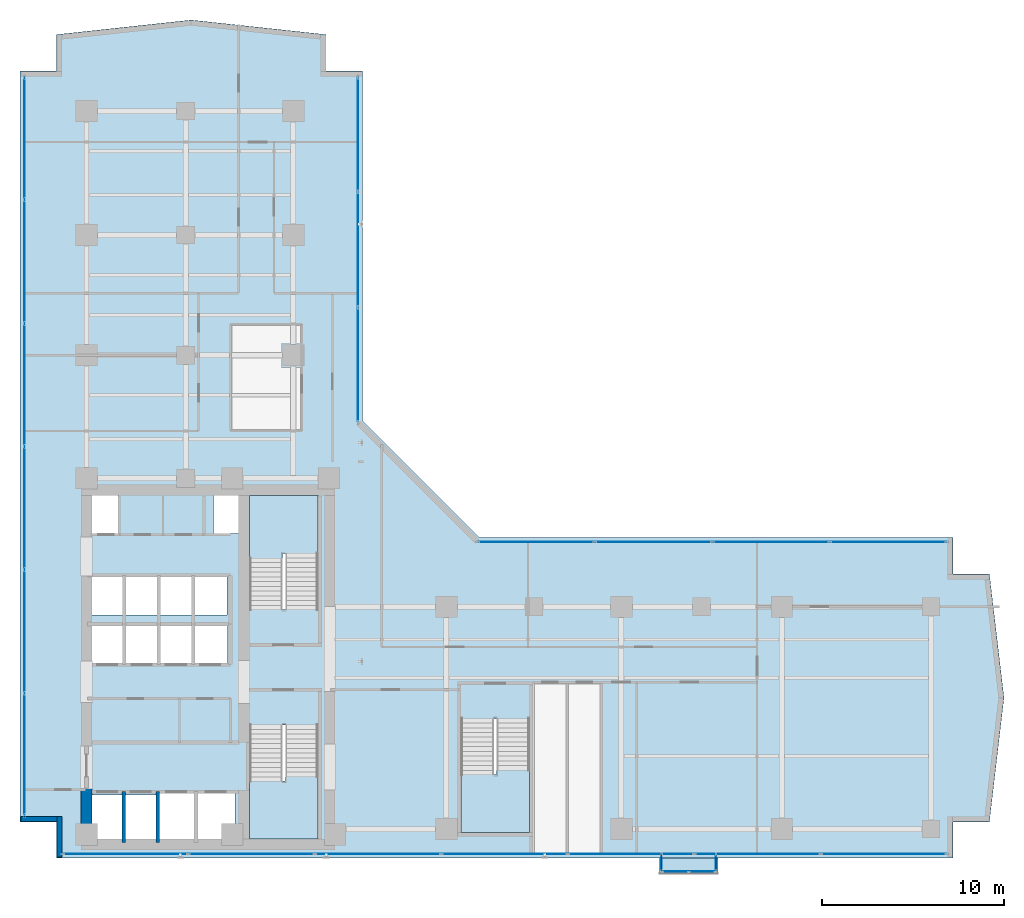
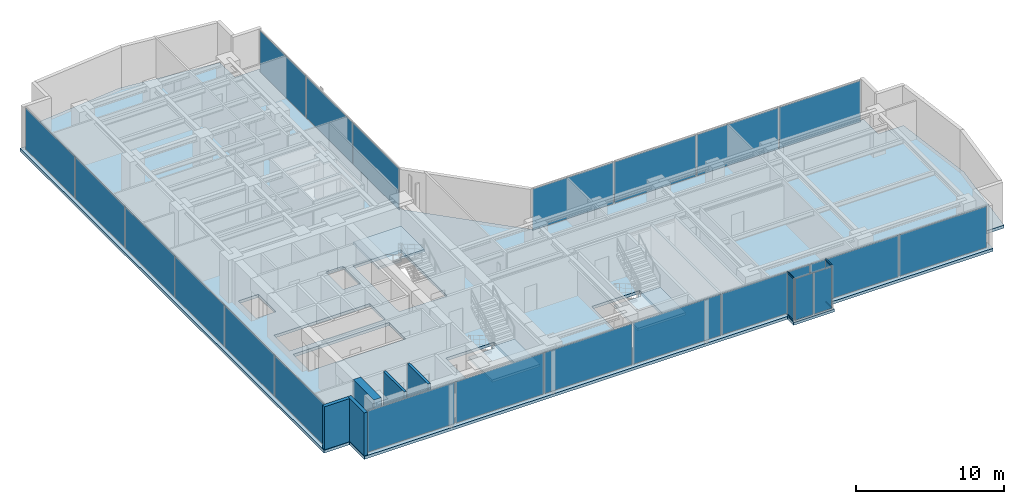
# One storey, part 18 of 26: 24 plates, 5 slabs, 5 walls, 4 members, 10 elements without a shape of their own.
"""IFC4 building model written with IfcOpenShell, lengths in metres."""

import ifcopenshell
import ifcopenshell.guid

model = None  # the IFC model being written
_history = None  # IfcOwnerHistory: only IFC2X3 demands one
_inside = {}  # id of a spatial element -> (the spatial element, [elements in it])
_under = {}  # id of a project, library or spatial element -> (it, [spatial elements below it])
_declared = {}  # id of a project -> (the project, [libraries it declares])
_typed = {}  # id of a type object -> (the type object, [elements of that type])
_made_of = {}  # id of a material, layer set ... -> (it, [elements and type objects made of it])


def new_model(schema):
    """Start an empty IFC model of exactly this schema.

    Asked for "IFC4X3", IfcOpenShell would pick the latest addendum, in which some entities
    have other attributes; the version numbers below select the first issue.
    IFC2X3 requires an IfcOwnerHistory on every rooted entity: one is made here for all.
    """
    global model, _history
    if schema == "IFC4X3":
        model = ifcopenshell.file(schema_version=(4, 3, 0, 0))
    else:
        model = ifcopenshell.file(schema=schema)
    _inside.clear()
    _under.clear()
    _declared.clear()
    _typed.clear()
    _made_of.clear()
    _history = None
    if model.schema == "IFC2X3":
        org = make("IfcOrganization", Name="unknown")
        user = make(
            "IfcPersonAndOrganization",
            ThePerson=make("IfcPerson", FamilyName="unknown"),
            TheOrganization=org,
        )
        app = make(
            "IfcApplication",
            ApplicationDeveloper=org,
            Version="unknown",
            ApplicationFullName="unknown",
            ApplicationIdentifier="unknown",
        )
        _history = make(
            "IfcOwnerHistory",
            OwningUser=user,
            OwningApplication=app,
            ChangeAction="ADDED",
            CreationDate=0,
        )
    return model


def make(cls, **values):
    """One entity of the class cls with the attributes given. An attribute that is None is left unset."""
    return model.create_entity(
        cls, **{name: value for name, value in values.items() if value is not None}
    )


def rooted(cls, **values):
    """An entity with a GlobalId (a new one), such as an element, a storey or a relation."""
    return make(cls, GlobalId=ifcopenshell.guid.new(), OwnerHistory=_history, **values)


def si_unit(unit_type, name, prefix=None):
    """IfcSIUnit, for example si_unit("LENGTHUNIT", "METRE", prefix="MILLI")."""
    return make("IfcSIUnit", UnitType=unit_type, Prefix=prefix, Name=name)


def assignment(units):
    """IfcUnitAssignment: the units of a project."""
    return None if units is None else make("IfcUnitAssignment", Units=units)


def point(xyz):
    """IfcCartesianPoint."""
    return None if xyz is None else make("IfcCartesianPoint", Coordinates=xyz)


def direction(xyz):
    """IfcDirection."""
    return None if xyz is None else make("IfcDirection", DirectionRatios=xyz)


def frame(location, z_axis=None, x_axis=None):
    """IfcAxis2Placement3D, a coordinate frame: its origin and axes. An axis left out is left unset."""
    return make(
        "IfcAxis2Placement3D",
        Location=point(location),
        Axis=direction(z_axis),
        RefDirection=direction(x_axis),
    )


def frame_2d(location, x_axis=None):
    """IfcAxis2Placement2D, a coordinate frame in the plane: its origin and x axis."""
    return make(
        "IfcAxis2Placement2D", Location=point(location), RefDirection=direction(x_axis)
    )


def origin():
    """The frame at (0, 0, 0) with its axes left unset."""
    return frame((0.0, 0.0, 0.0))


def origin_with_axes():
    """The frame at (0, 0, 0) with the z axis (0, 0, 1) and the x axis (1, 0, 0) written out."""
    return frame((0.0, 0.0, 0.0), z_axis=(0.0, 0.0, 1.0), x_axis=(1.0, 0.0, 0.0))


def origin_2d():
    """The frame at (0, 0) in the plane with its x axis left unset."""
    return frame_2d((0.0, 0.0))


def place(relative_to, where):
    """IfcLocalPlacement: puts the frame where relative to a parent placement (None: the world)."""
    return make(
        "IfcLocalPlacement", PlacementRelTo=relative_to, RelativePlacement=where
    )


def context(
    kind, dimensions, precision=None, world=None, true_north=None, identifier=None
):
    """IfcGeometricRepresentationContext, for example the 3D "Model" context."""
    return make(
        "IfcGeometricRepresentationContext",
        ContextIdentifier=identifier,
        ContextType=kind,
        CoordinateSpaceDimension=dimensions,
        Precision=precision,
        WorldCoordinateSystem=world,
        TrueNorth=true_north,
    )


def subcontext(parent, identifier, kind, view, scale=None):
    """IfcGeometricRepresentationSubContext, for example "Body" below "Model"."""
    return make(
        "IfcGeometricRepresentationSubContext",
        ContextIdentifier=identifier,
        ContextType=kind,
        ParentContext=parent,
        TargetScale=scale,
        TargetView=view,
    )


def project(units=None, contexts=None):
    """IfcProject with its units and contexts."""
    return rooted(
        "IfcProject",
        Name="project",
        RepresentationContexts=contexts,
        UnitsInContext=assignment(units),
    )


def spatial(cls, under=None, at=None, **own):
    """A site, building, storey or space (cls), placed at a placement, below another one or the project."""
    s = rooted(cls, ObjectPlacement=at, **own)
    if under is not None:
        _under.setdefault(under.id(), (under, []))[1].append(s)
    return s


def polyline(points):
    """IfcPolyline through the points."""
    return make("IfcPolyline", Points=[point(p) for p in points])


def profile(cls, at=None, kind="AREA", **sizes):
    """A parametric profile (cls). Its sizes go by their IFC names, for example OverallWidth=200.0."""
    return make(cls, ProfileType=kind, Position=at, **sizes)


def rectangle(**sizes):
    """IfcRectangleProfileDef."""
    return profile("IfcRectangleProfileDef", **sizes)


def hollow_rectangle(**sizes):
    """IfcRectangleHollowProfileDef."""
    return profile("IfcRectangleHollowProfileDef", **sizes)


def outline(outer, holes=None, kind="AREA"):
    """IfcArbitraryClosedProfileDef: a profile drawn as a closed curve; with holes, ...WithVoids."""
    if holes is None:
        return make("IfcArbitraryClosedProfileDef", ProfileType=kind, OuterCurve=outer)
    return make(
        "IfcArbitraryProfileDefWithVoids",
        ProfileType=kind,
        OuterCurve=outer,
        InnerCurves=holes,
    )


def extrude(swept, where, along, depth):
    """IfcExtrudedAreaSolid: the profile swept, set in the frame where, extruded along a direction by depth."""
    return make(
        "IfcExtrudedAreaSolid",
        SweptArea=swept,
        Position=where,
        ExtrudedDirection=direction(along),
        Depth=depth,
    )


def shape(context_of_items, identifier, shape_type, items):
    """IfcShapeRepresentation: the items that make up one representation, for example the "Body"."""
    return make(
        "IfcShapeRepresentation",
        ContextOfItems=context_of_items,
        RepresentationIdentifier=identifier,
        RepresentationType=shape_type,
        Items=items,
    )


def source(mapping_origin, context_of_items, identifier, shape_type, items):
    """IfcRepresentationMap: a shape defined once, which mapped items show again and again."""
    return make(
        "IfcRepresentationMap",
        MappingOrigin=mapping_origin,
        MappedRepresentation=shape(context_of_items, identifier, shape_type, items),
    )


def transform(
    local_origin,
    x_axis=None,
    y_axis=None,
    z_axis=None,
    scale=None,
    scale2=None,
    scale3=None,
    uniform=True,
):
    """IfcCartesianTransformationOperator3D, or its non-uniform kind. x_axis, y_axis, z_axis: its Axis1, 2, 3."""
    if uniform:
        return make(
            "IfcCartesianTransformationOperator3D",
            Axis1=direction(x_axis),
            Axis2=direction(y_axis),
            LocalOrigin=point(local_origin),
            Scale=scale,
            Axis3=direction(z_axis),
        )
    return make(
        "IfcCartesianTransformationOperator3DnonUniform",
        Axis1=direction(x_axis),
        Axis2=direction(y_axis),
        LocalOrigin=point(local_origin),
        Scale=scale,
        Axis3=direction(z_axis),
        Scale2=scale2,
        Scale3=scale3,
    )


def mapped(mapping_source, mapping_target):
    """IfcMappedItem: shows the shape of a source again, moved by a transform."""
    return make(
        "IfcMappedItem", MappingSource=mapping_source, MappingTarget=mapping_target
    )


def material(Name=None, Category=None):
    """IfcMaterial."""
    return make("IfcMaterial", Name=Name, Category=Category)


def layer(
    of_material, thickness, ventilated=None, Name=None, Category=None, Priority=None
):
    """IfcMaterialLayer: one layer of a wall or slab, of a material (None: an air gap)."""
    return make(
        "IfcMaterialLayer",
        Material=of_material,
        LayerThickness=thickness,
        IsVentilated=ventilated,
        Name=Name,
        Category=Category,
        Priority=Priority,
    )


def layer_set(layers, Name=None):
    """IfcMaterialLayerSet."""
    return make("IfcMaterialLayerSet", MaterialLayers=layers, LayerSetName=Name)


def material_profile(
    of_material, cross_section, Name=None, Category=None, Priority=None
):
    """IfcMaterialProfile: a cross section and its material."""
    return make(
        "IfcMaterialProfile",
        Name=Name,
        Material=of_material,
        Profile=cross_section,
        Priority=Priority,
        Category=Category,
    )


def profile_set(profiles, Name=None, composite=None):
    """IfcMaterialProfileSet."""
    return make(
        "IfcMaterialProfileSet",
        Name=Name,
        MaterialProfiles=profiles,
        CompositeProfile=composite,
    )


def made_of(thing, what):
    """Note that an element or type object is made of a material, layer set ...; save() writes the relation."""
    if what is not None:
        _made_of.setdefault(what.id(), (what, []))[1].append(thing)
    return thing


def type_object(cls, material=None, **own):
    """A type object (cls), such as IfcWallType, which elements share."""
    return made_of(rooted(cls, **own), material)


def element(
    cls,
    number,
    at=None,
    inside=None,
    cuts=None,
    type_object=None,
    material=None,
    context=None,
    identifier="Body",
    shape_type=None,
    held_by="IfcProductDefinitionShape",
    body=None,
    shapes=None,
    **own,
):
    """One element of the class cls, such as IfcWall. Its Tag is "e" and its number.

    at: its placement. inside: the storey or other place that contains it. cuts: it is an
    opening in that element (IfcRelVoidsElement). A single representation is given by context,
    identifier, shape_type and body (its items); several are given by shapes. held_by: the class
    of the entity that holds the representations. save() writes the other relations.
    """
    e = rooted(cls, Tag="e%d" % number, ObjectPlacement=at, **own)
    if body is not None:
        shapes = [shape(context, identifier, shape_type, body)]
    if shapes is not None:
        e.Representation = make(held_by, Representations=shapes)
    if inside is not None:
        _inside.setdefault(inside.id(), (inside, []))[1].append(e)
    if cuts is not None:
        rooted(
            "IfcRelVoidsElement", RelatingBuildingElement=cuts, RelatedOpeningElement=e
        )
    if type_object is not None:
        _typed.setdefault(type_object.id(), (type_object, []))[1].append(e)
    return made_of(e, material)


def aggregate(whole, parts):
    """IfcRelAggregates: a whole, such as a stair, and the parts it consists of."""
    return rooted("IfcRelAggregates", RelatingObject=whole, RelatedObjects=parts)


def save(model, path):
    """Write the relations noted so far, then the file.

    IfcRelAggregates (storeys below a building ...), IfcRelContainedInSpatialStructure (elements
    in a storey), IfcRelDefinesByType, IfcRelAssociatesMaterial and IfcRelDeclares: one each for
    every whole, place, type object, material and project.
    """
    for whole, parts in _under.values():
        aggregate(whole, parts)
    for where, things in _inside.values():
        rooted(
            "IfcRelContainedInSpatialStructure",
            RelatedElements=things,
            RelatingStructure=where,
        )
    for kind, things in _typed.values():
        rooted("IfcRelDefinesByType", RelatedObjects=things, RelatingType=kind)
    for what, things in _made_of.values():
        rooted("IfcRelAssociatesMaterial", RelatedObjects=things, RelatingMaterial=what)
    for by, libraries in _declared.values():
        rooted("IfcRelDeclares", RelatingContext=by, RelatedDefinitions=libraries)
    model.write(path)


model = new_model("IFC4")

# Units and contexts
model_context = context("Model", 3, precision=1e-05, world=origin(), true_north=direction((0.0, 1.0)))
body_context = subcontext(model_context, "Body", "Model", "MODEL_VIEW")
ifc_project = project(units=[si_unit("LENGTHUNIT", "METRE"), si_unit("AREAUNIT", "SQUARE_METRE"), si_unit("VOLUMEUNIT", "CUBIC_METRE"), si_unit("PLANEANGLEUNIT", "RADIAN"), si_unit("MASSUNIT", "GRAM", prefix="KILO")], contexts=[model_context])

# Site, building, storey
site_placement = place(None, origin())
site = spatial("IfcSite", under=ifc_project, at=site_placement, CompositionType="ELEMENT")
building_placement = place(site_placement, origin())
building = spatial("IfcBuilding", under=site, at=building_placement, Name="Kolvaren Waterfront Exchange", CompositionType="ELEMENT")
storey_placement = place(building_placement, frame((0.0, 0.0, 165.199951171875)))
storey = spatial("IfcBuildingStorey", under=building, at=storey_placement, Name="L42", CompositionType="ELEMENT", Elevation=165.199951171875)

# Curtain wall, members
ifc_material_1 = material(Name="Anodised bronze aluminium 6063-T6", Category="aluminium")
ifc_layer_1 = layer(ifc_material_1, 0.219970703125, Name="Anodised bronze aluminium 6063-T6")
ifc_layer_set_1 = layer_set([ifc_layer_1], Name="Anodised bronze aluminium 6063-T6")
curtain_wall_type_1 = type_object("IfcCurtainWallType", Name="ARC-CW-SYS3", PredefinedType="USERDEFINED", material=ifc_layer_set_1)
curtain_wall_1_placement = place(storey_placement, origin())
curtain_wall_1 = element("IfcCurtainWall", 1, at=curtain_wall_1_placement, inside=storey, type_object=curtain_wall_type_1, Name="L42 stick curtain wall CW3 (CW-L42-BOX-W)", ObjectType="STICK CURTAIN WALL", PredefinedType="USERDEFINED")
ifc_material_profile = material_profile(ifc_material_1, hollow_rectangle(XDim=0.06494140625, YDim=0.1298828125, WallThickness=0.00390625, at=origin_2d()), Name="ALU-TRN-130x65x4")
ifc_profile_set = profile_set([ifc_material_profile], Name="Anodised bronze aluminium 6063-T6")
member_type = type_object("IfcMemberType", Name="ARC-CWT-130", PredefinedType="USERDEFINED", material=ifc_profile_set)
shared_shape_1 = source(origin_with_axes(), body_context, "Body", "SweptSolid", [
    extrude(hollow_rectangle(XDim=0.06494140625, YDim=0.1298828125, WallThickness=0.00390625, at=origin_2d()), origin(), (0.0, 0.0, 1.0), 0.829833984375),
])
member_1_placement = place(storey_placement, frame((39.010009765625, 3.764892578125, 0.032470703125), z_axis=(0.0, -1.0, 0.0), x_axis=(1.0, 0.0, 0.0)))
member_1 = element("IfcMember", 2, at=member_1_placement, type_object=member_type, Name="CW3 transom 1.1", ObjectType="TRANSOM", PredefinedType="USERDEFINED", context=body_context, shape_type="MappedRepresentation", body=[
    mapped(shared_shape_1, transform((0.0, 0.0, 0.0), x_axis=(1.0, 0.0, 0.0), y_axis=(0.0, 1.0, 0.0), z_axis=(0.0, 0.0, 1.0), scale=1.0)),
])
member_2_placement = place(storey_placement, frame((39.010009765625, 3.764892578125, 3.527587890625), z_axis=(0.0, -1.0, 0.0), x_axis=(1.0, 0.0, 0.0)))
member_2 = element("IfcMember", 3, at=member_2_placement, type_object=member_type, Name="CW3 transom 1.2", ObjectType="TRANSOM", PredefinedType="USERDEFINED", context=body_context, shape_type="MappedRepresentation", body=[
    mapped(shared_shape_1, transform((0.0, 0.0, 0.0), x_axis=(1.0, 0.0, 0.0), y_axis=(0.0, 1.0, 0.0), z_axis=(0.0, 0.0, 1.0), scale=1.0)),
])

curtain_wall_2_placement = place(storey_placement, origin())
curtain_wall_2 = element("IfcCurtainWall", 4, at=curtain_wall_2_placement, inside=storey, type_object=curtain_wall_type_1, Name="L42 stick curtain wall CW3 (CW-L42-BOX-E)", ObjectType="STICK CURTAIN WALL", PredefinedType="USERDEFINED")
member_3_placement = place(storey_placement, frame((41.989990234375, 2.93505859375, 0.032470703125), z_axis=(0.0, 1.0, 0.0), x_axis=(-1.0, 0.0, 0.0)))
member_3 = element("IfcMember", 5, at=member_3_placement, type_object=member_type, Name="CW3 transom 1.1", ObjectType="TRANSOM", PredefinedType="USERDEFINED", context=body_context, shape_type="MappedRepresentation", body=[
    mapped(shared_shape_1, transform((0.0, 0.0, 0.0), x_axis=(1.0, 0.0, 0.0), y_axis=(0.0, 1.0, 0.0), z_axis=(0.0, 0.0, 1.0), scale=1.0)),
])
member_4_placement = place(storey_placement, frame((41.989990234375, 2.93505859375, 3.527587890625), z_axis=(0.0, 1.0, 0.0), x_axis=(-1.0, 0.0, 0.0)))
member_4 = element("IfcMember", 6, at=member_4_placement, type_object=member_type, Name="CW3 transom 1.2", ObjectType="TRANSOM", PredefinedType="USERDEFINED", context=body_context, shape_type="MappedRepresentation", body=[
    mapped(shared_shape_1, transform((0.0, 0.0, 0.0), x_axis=(1.0, 0.0, 0.0), y_axis=(0.0, 1.0, 0.0), z_axis=(0.0, 0.0, 1.0), scale=1.0)),
])

# Stair, slab
ifc_material_2 = material(Name="Concrete C40/50", Category="concrete")
stair_type = type_object("IfcStairType", Name="ARC-STAIR-3800", PredefinedType="HALF_TURN_STAIR", material=ifc_material_2)
stair_1_placement = place(storey_placement, origin())
stair_1 = element("IfcStair", 7, at=stair_1_placement, inside=storey, type_object=stair_type, Name="L42 Smoke-proof exit stair ST1", PredefinedType="HALF_TURN_STAIR")
ifc_layer_2 = layer(ifc_material_2, 0.199951171875, Name="Concrete C40/50")
ifc_layer_set_2 = layer_set([ifc_layer_2], Name="Concrete C40/50")
slab_type_1 = type_object("IfcSlabType", Name="STR-LANDING-200", PredefinedType="LANDING", material=ifc_layer_set_2)
slab_1_placement = place(storey_placement, frame((0.0, 0.0, 1.776123046875)))
slab_1 = element("IfcSlab", 8, at=slab_1_placement, type_object=slab_type_1, Name="ST1 landing 1", PredefinedType="LANDING", context=body_context, shape_type="SweptSolid", body=[
    extrude(outline(polyline([(16.39990234375, 7.840087890625), (16.39990234375, 4.64990234375), (20.159912109375, 4.64990234375), (20.159912109375, 8.10009765625), (18.360107421875, 8.10009765625), (18.360107421875, 7.840087890625), (16.39990234375, 7.840087890625)])), origin(), (0.0, 0.0, 1.0), 0.199951171875),
])
aggregate(stair_1, [slab_1])

stair_2_placement = place(storey_placement, origin())
stair_2 = element("IfcStair", 9, at=stair_2_placement, inside=storey, type_object=stair_type, Name="L42 Smoke-proof exit stair ST2", PredefinedType="HALF_TURN_STAIR")
slab_2_placement = place(storey_placement, frame((0.0, 0.0, 1.776123046875)))
slab_2 = element("IfcSlab", 10, at=slab_2_placement, type_object=slab_type_1, Name="ST2 landing 1", PredefinedType="LANDING", context=body_context, shape_type="SweptSolid", body=[
    extrude(outline(polyline([(20.159912109375, 20.31005859375), (20.159912109375, 23.5), (16.39990234375, 23.5), (16.39990234375, 20.050048828125), (18.199951171875, 20.050048828125), (18.199951171875, 20.31005859375), (20.159912109375, 20.31005859375)])), origin(), (0.0, 0.0, 1.0), 0.199951171875),
])
aggregate(stair_2, [slab_2])

stair_3_placement = place(storey_placement, origin())
stair_3 = element("IfcStair", 11, at=stair_3_placement, inside=storey, type_object=stair_type, Name="L42 Exit stair ST3", PredefinedType="HALF_TURN_STAIR")
slab_3_placement = place(storey_placement, frame((0.0, 0.0, 1.776123046875)))
slab_3 = element("IfcSlab", 12, at=slab_3_placement, type_object=slab_type_1, Name="ST3 landing 1", PredefinedType="LANDING", context=body_context, shape_type="SweptSolid", body=[
    extrude(outline(polyline([(28.0, 8.18994140625), (28.0, 5.0), (31.760009765625, 5.0), (31.760009765625, 8.449951171875), (29.9599609375, 8.449951171875), (29.9599609375, 8.18994140625), (28.0, 8.18994140625)])), origin(), (0.0, 0.0, 1.0), 0.199951171875),
])
aggregate(stair_3, [slab_3])

# Slabs
ifc_layer_3 = layer(ifc_material_2, 0.239990234375, Name="Concrete C40/50")
ifc_layer_set_3 = layer_set([ifc_layer_3], Name="Concrete C40/50")
slab_type_2 = type_object("IfcSlabType", Name="STR-SLAB-240", PredefinedType="FLOOR", material=ifc_layer_set_3)
slab_4_placement = place(storey_placement, frame((0.0, 0.0, -0.239990234375)))
element("IfcSlab", 13, at=slab_4_placement, inside=storey, type_object=slab_type_2, Name="L42 structural floor slab", PredefinedType="FLOOR", context=body_context, shape_type="SweptSolid", body=[
    extrude(outline(polyline([(5.800048828125, 3.60009765625), (55.0, 3.60009765625), (55.0, 5.60009765625), (57.0, 5.60009765625), (57.800048828125, 12.39990234375), (57.0, 19.199951171875), (55.0, 19.199951171875), (55.0, 21.199951171875), (29.0, 21.199951171875), (22.60009765625, 27.60009765625), (22.60009765625, 46.800048828125), (20.60009765625, 46.800048828125), (20.60009765625, 48.800048828125), (13.199951171875, 49.60009765625), (5.800048828125, 48.800048828125), (5.800048828125, 46.800048828125), (3.800048828125, 46.800048828125), (3.800048828125, 5.60009765625), (5.800048828125, 5.60009765625), (5.800048828125, 3.60009765625)]), holes=[polyline([(11.320068359375, 7.260009765625), (15.610107421875, 7.260009765625), (15.610107421875, 4.5400390625), (7.719970703125, 4.5400390625), (7.719970703125, 7.06005859375), (11.320068359375, 7.06005859375), (11.320068359375, 7.260009765625)]), polyline([(20.159912109375, 10.89990234375), (20.159912109375, 4.64990234375), (16.39990234375, 4.64990234375), (16.39990234375, 10.89990234375), (20.159912109375, 10.89990234375)]), polyline([(31.760009765625, 11.25), (31.760009765625, 5.0), (28.0, 5.0), (28.0, 11.25), (31.760009765625, 11.25)]), polyline([(15.18505859375, 14.239990234375), (7.64501953125, 14.239990234375), (7.64501953125, 16.4599609375), (15.18505859375, 16.4599609375), (15.18505859375, 14.239990234375)]), polyline([(15.159912109375, 16.93994140625), (7.669921875, 16.93994140625), (7.669921875, 19.06005859375), (15.159912109375, 19.06005859375), (15.159912109375, 16.93994140625)]), polyline([(16.39990234375, 23.5), (20.159912109375, 23.5), (20.159912109375, 17.25), (16.39990234375, 17.25), (16.39990234375, 23.5)]), polyline([(7.60009765625, 23.780029296875), (9.179931640625, 23.780029296875), (9.179931640625, 21.419921875), (7.60009765625, 21.419921875), (7.60009765625, 23.780029296875)]), polyline([(15.800048828125, 23.780029296875), (15.800048828125, 21.419921875), (14.419921875, 21.419921875), (14.419921875, 23.780029296875), (15.800048828125, 23.780029296875)])]), origin(), (0.0, 0.0, 1.0), 0.239990234375),
])
ifc_layer_4 = layer(ifc_material_2, 0.219970703125, Name="Concrete C40/50")
ifc_layer_set_4 = layer_set([ifc_layer_4], Name="Concrete C40/50")
slab_type_3 = type_object("IfcSlabType", Name="STR-TERR-220", PredefinedType="FLOOR", material=ifc_layer_set_4)
slab_5_placement = place(storey_placement, frame((0.0, 0.0, -0.219970703125)))
element("IfcSlab", 14, at=slab_5_placement, inside=storey, type_object=slab_type_3, Name="L42 projecting bay-box floor strip", PredefinedType="FLOOR", context=body_context, shape_type="SweptSolid", body=[
    extrude(outline(polyline([(38.89990234375, 2.75), (42.10009765625, 2.75), (42.10009765625, 3.60009765625), (38.89990234375, 3.60009765625), (38.89990234375, 2.75)])), origin(), (0.0, 0.0, 1.0), 0.219970703125),
])

# Plate
ifc_material_3 = material(Name="Bronze tinted bay-box vision glass", Category="aluminium")
ifc_layer_5 = layer(ifc_material_3, 0.02392578125, Name="Bronze tinted bay-box vision glass")
ifc_layer_set_5 = layer_set([ifc_layer_5], Name="Bronze tinted bay-box vision glass")
plate_type_1 = type_object("IfcPlateType", Name="ARC-CWP-24", PredefinedType="CURTAIN_PANEL", material=ifc_layer_set_5)
shared_shape_2 = source(origin_with_axes(), body_context, "Body", "SweptSolid", [
    extrude(rectangle(XDim=0.830078125, YDim=0.02392578125, at=origin_2d()), origin(), (0.0, 0.0, 1.0), 3.429931640625),
])
plate_1_placement = place(storey_placement, frame((39.010009765625, 3.35009765625, 0.06494140625), z_axis=(0.0, 0.0, 1.0), x_axis=(0.0, -1.0, 0.0)))
plate_1 = element("IfcPlate", 15, at=plate_1_placement, type_object=plate_type_1, Name="CW3 panel 1.1", PredefinedType="CURTAIN_PANEL", context=body_context, shape_type="MappedRepresentation", body=[
    mapped(shared_shape_2, transform((0.0, 0.0, 0.0), x_axis=(1.0, 0.0, 0.0), y_axis=(0.0, 1.0, 0.0), z_axis=(0.0, 0.0, 1.0), scale=1.0)),
])

aggregate(curtain_wall_1, [member_1, member_2, plate_1])

plate_2_placement = place(storey_placement, frame((41.989990234375, 3.35009765625, 0.06494140625), z_axis=(0.0, 0.0, 1.0), x_axis=(0.0, 1.0, 0.0)))
plate_2 = element("IfcPlate", 16, at=plate_2_placement, type_object=plate_type_1, Name="CW3 panel 1.1", PredefinedType="CURTAIN_PANEL", context=body_context, shape_type="MappedRepresentation", body=[
    mapped(shared_shape_2, transform((0.0, 0.0, 0.0), x_axis=(1.0, 0.0, 0.0), y_axis=(0.0, 1.0, 0.0), z_axis=(0.0, 0.0, 1.0), scale=1.0)),
])

aggregate(curtain_wall_2, [member_3, member_4, plate_2])

# Curtain wall, plates
curtain_wall_3_placement = place(storey_placement, origin())
curtain_wall_3 = element("IfcCurtainWall", 17, at=curtain_wall_3_placement, inside=storey, type_object=curtain_wall_type_1, Name="L42 stick curtain wall CW3 (CW-L42-BOX)", ObjectType="STICK CURTAIN WALL", PredefinedType="USERDEFINED")
shared_shape_3 = source(origin_with_axes(), body_context, "Body", "SweptSolid", [
    extrude(rectangle(XDim=1.37744140625, YDim=0.02392578125, at=origin_2d()), origin(), (0.0, 0.0, 1.0), 3.429931640625),
])
plate_3_placement = place(storey_placement, frame((39.773681640625, 2.860107421875, 0.06494140625), z_axis=(0.0, 0.0, 1.0), x_axis=(1.0, 0.0, 0.0)))
plate_3 = element("IfcPlate", 18, at=plate_3_placement, type_object=plate_type_1, Name="CW3 panel 1.1", PredefinedType="CURTAIN_PANEL", context=body_context, shape_type="MappedRepresentation", body=[
    mapped(shared_shape_3, transform((0.0, 0.0, 0.0), x_axis=(1.0, 0.0, 0.0), y_axis=(0.0, 1.0, 0.0), z_axis=(0.0, 0.0, 1.0), scale=1.0)),
])
plate_4_placement = place(storey_placement, frame((41.226318359375, 2.860107421875, 0.06494140625), z_axis=(0.0, 0.0, 1.0), x_axis=(1.0, 0.0, 0.0)))
plate_4 = element("IfcPlate", 19, at=plate_4_placement, type_object=plate_type_1, Name="CW3 panel 2.1", PredefinedType="CURTAIN_PANEL", context=body_context, shape_type="MappedRepresentation", body=[
    mapped(shared_shape_3, transform((0.0, 0.0, 0.0), x_axis=(1.0, 0.0, 0.0), y_axis=(0.0, 1.0, 0.0), z_axis=(0.0, 0.0, 1.0), scale=1.0)),
])
aggregate(curtain_wall_3, [plate_3, plate_4])

ifc_layer_6 = layer(ifc_material_1, 0.219970703125, Name="Anodised bronze aluminium 6063-T6")
ifc_layer_set_6 = layer_set([ifc_layer_6], Name="Anodised bronze aluminium 6063-T6")
curtain_wall_type_2 = type_object("IfcCurtainWallType", Name="ARC-CW-SYS1", PredefinedType="USERDEFINED", material=ifc_layer_set_6)
curtain_wall_4_placement = place(storey_placement, origin())
curtain_wall_4 = element("IfcCurtainWall", 20, at=curtain_wall_4_placement, inside=storey, type_object=curtain_wall_type_2, Name="L42 stick curtain wall CW1 (CW-L42-S)", ObjectType="STICK CURTAIN WALL", PredefinedType="USERDEFINED")
ifc_material_4 = material(Name="Bronze solar control vision glass", Category="aluminium")
ifc_layer_7 = layer(ifc_material_4, 0.028076171875, Name="Bronze solar control vision glass")
ifc_layer_set_7 = layer_set([ifc_layer_7], Name="Bronze solar control vision glass")
plate_type_2 = type_object("IfcPlateType", Name="ARC-CWP-28", PredefinedType="CURTAIN_PANEL", material=ifc_layer_set_7)
shared_shape_4 = source(origin_with_axes(), body_context, "Body", "SweptSolid", [
    extrude(rectangle(XDim=6.82275390625, YDim=0.028076171875, at=origin_2d()), origin(), (0.0, 0.0, 1.0), 3.409912109375),
])
plate_5_placement = place(storey_placement, frame((9.59130859375, 3.840087890625, 0.0751953125), z_axis=(0.0, 0.0, 1.0), x_axis=(1.0, 0.0, 0.0)))
plate_5 = element("IfcPlate", 21, at=plate_5_placement, type_object=plate_type_2, Name="CW1 panel 1.1", PredefinedType="CURTAIN_PANEL", context=body_context, shape_type="MappedRepresentation", body=[
    mapped(shared_shape_4, transform((0.0, 0.0, 0.0), x_axis=(1.0, 0.0, 0.0), y_axis=(0.0, 1.0, 0.0), z_axis=(0.0, 0.0, 1.0), scale=1.0)),
])
plate_6_placement = place(storey_placement, frame((51.20849609375, 3.840087890625, 0.0751953125), z_axis=(0.0, 0.0, 1.0), x_axis=(1.0, 0.0, 0.0)))
plate_6 = element("IfcPlate", 22, at=plate_6_placement, type_object=plate_type_2, Name="CW1 panel 7.1", PredefinedType="CURTAIN_PANEL", context=body_context, shape_type="MappedRepresentation", body=[
    mapped(shared_shape_4, transform((0.0, 0.0, 0.0), x_axis=(1.0, 0.0, 0.0), y_axis=(0.0, 1.0, 0.0), z_axis=(0.0, 0.0, 1.0), scale=1.0)),
])
shared_shape_5 = source(origin_with_axes(), body_context, "Body", "SweptSolid", [
    extrude(rectangle(XDim=6.86279296875, YDim=0.028076171875, at=origin_2d()), origin(), (0.0, 0.0, 1.0), 3.409912109375),
])
plate_7_placement = place(storey_placement, frame((16.514404296875, 3.840087890625, 0.0751953125), z_axis=(0.0, 0.0, 1.0), x_axis=(1.0, 0.0, 0.0)))
plate_7 = element("IfcPlate", 23, at=plate_7_placement, type_object=plate_type_2, Name="CW1 panel 2.1", PredefinedType="CURTAIN_PANEL", context=body_context, shape_type="MappedRepresentation", body=[
    mapped(shared_shape_5, transform((0.0, 0.0, 0.0), x_axis=(1.0, 0.0, 0.0), y_axis=(0.0, 1.0, 0.0), z_axis=(0.0, 0.0, 1.0), scale=1.0)),
])
plate_8_placement = place(storey_placement, frame((23.45703125, 3.840087890625, 0.0751953125), z_axis=(0.0, 0.0, 1.0), x_axis=(1.0, 0.0, 0.0)))
plate_8 = element("IfcPlate", 24, at=plate_8_placement, type_object=plate_type_2, Name="CW1 panel 3.1", PredefinedType="CURTAIN_PANEL", context=body_context, shape_type="MappedRepresentation", body=[
    mapped(shared_shape_5, transform((0.0, 0.0, 0.0), x_axis=(1.0, 0.0, 0.0), y_axis=(0.0, 1.0, 0.0), z_axis=(0.0, 0.0, 1.0), scale=1.0)),
])
plate_9_placement = place(storey_placement, frame((30.39990234375, 3.840087890625, 0.0751953125), z_axis=(0.0, 0.0, 1.0), x_axis=(1.0, 0.0, 0.0)))
plate_9 = element("IfcPlate", 25, at=plate_9_placement, type_object=plate_type_2, Name="CW1 panel 4.1", PredefinedType="CURTAIN_PANEL", context=body_context, shape_type="MappedRepresentation", body=[
    mapped(shared_shape_5, transform((0.0, 0.0, 0.0), x_axis=(1.0, 0.0, 0.0), y_axis=(0.0, 1.0, 0.0), z_axis=(0.0, 0.0, 1.0), scale=1.0)),
])
plate_10_placement = place(storey_placement, frame((37.3427734375, 3.840087890625, 0.0751953125), z_axis=(0.0, 0.0, 1.0), x_axis=(1.0, 0.0, 0.0)))
plate_10 = element("IfcPlate", 26, at=plate_10_placement, type_object=plate_type_2, Name="CW1 panel 5.1", PredefinedType="CURTAIN_PANEL", context=body_context, shape_type="MappedRepresentation", body=[
    mapped(shared_shape_5, transform((0.0, 0.0, 0.0), x_axis=(1.0, 0.0, 0.0), y_axis=(0.0, 1.0, 0.0), z_axis=(0.0, 0.0, 1.0), scale=1.0)),
])
plate_11_placement = place(storey_placement, frame((44.28564453125, 3.840087890625, 0.0751953125), z_axis=(0.0, 0.0, 1.0), x_axis=(1.0, 0.0, 0.0)))
plate_11 = element("IfcPlate", 27, at=plate_11_placement, type_object=plate_type_2, Name="CW1 panel 6.1", PredefinedType="CURTAIN_PANEL", context=body_context, shape_type="MappedRepresentation", body=[
    mapped(shared_shape_5, transform((0.0, 0.0, 0.0), x_axis=(1.0, 0.0, 0.0), y_axis=(0.0, 1.0, 0.0), z_axis=(0.0, 0.0, 1.0), scale=1.0)),
])
aggregate(curtain_wall_4, [plate_5, plate_7, plate_8, plate_9, plate_10, plate_11, plate_6])

curtain_wall_5_placement = place(storey_placement, origin())
curtain_wall_5 = element("IfcCurtainWall", 28, at=curtain_wall_5_placement, inside=storey, type_object=curtain_wall_type_2, Name="L42 stick curtain wall CW1 (CW-L42-NE)", ObjectType="STICK CURTAIN WALL", PredefinedType="USERDEFINED")
shared_shape_6 = source(origin_with_axes(), body_context, "Body", "SweptSolid", [
    extrude(rectangle(XDim=6.216552734375, YDim=0.028076171875, at=origin_2d()), origin(), (0.0, 0.0, 1.0), 3.409912109375),
])
plate_12_placement = place(storey_placement, frame((22.360107421875, 30.67822265625, 0.0751953125), z_axis=(0.0, 0.0, 1.0), x_axis=(0.0, 1.0, 0.0)))
plate_12 = element("IfcPlate", 29, at=plate_12_placement, type_object=plate_type_2, Name="CW1 panel 1.1", PredefinedType="CURTAIN_PANEL", context=body_context, shape_type="MappedRepresentation", body=[
    mapped(shared_shape_6, transform((0.0, 0.0, 0.0), x_axis=(1.0, 0.0, 0.0), y_axis=(0.0, 1.0, 0.0), z_axis=(0.0, 0.0, 1.0), scale=1.0)),
])
plate_13_placement = place(storey_placement, frame((22.360107421875, 43.311767578125, 0.0751953125), z_axis=(0.0, 0.0, 1.0), x_axis=(0.0, 1.0, 0.0)))
plate_13 = element("IfcPlate", 30, at=plate_13_placement, type_object=plate_type_2, Name="CW1 panel 3.1", PredefinedType="CURTAIN_PANEL", context=body_context, shape_type="MappedRepresentation", body=[
    mapped(shared_shape_6, transform((0.0, 0.0, 0.0), x_axis=(1.0, 0.0, 0.0), y_axis=(0.0, 1.0, 0.0), z_axis=(0.0, 0.0, 1.0), scale=1.0)),
])
shared_shape_7 = source(origin_with_axes(), body_context, "Body", "SweptSolid", [
    extrude(rectangle(XDim=6.256591796875, YDim=0.028076171875, at=origin_2d()), origin(), (0.0, 0.0, 1.0), 3.409912109375),
])
plate_14_placement = place(storey_placement, frame((22.360107421875, 36.9951171875, 0.0751953125), z_axis=(0.0, 0.0, 1.0), x_axis=(0.0, 1.0, 0.0)))
plate_14 = element("IfcPlate", 31, at=plate_14_placement, type_object=plate_type_2, Name="CW1 panel 2.1", PredefinedType="CURTAIN_PANEL", context=body_context, shape_type="MappedRepresentation", body=[
    mapped(shared_shape_7, transform((0.0, 0.0, 0.0), x_axis=(1.0, 0.0, 0.0), y_axis=(0.0, 1.0, 0.0), z_axis=(0.0, 0.0, 1.0), scale=1.0)),
])
aggregate(curtain_wall_5, [plate_12, plate_14, plate_13])

curtain_wall_6_placement = place(storey_placement, origin())
curtain_wall_6 = element("IfcCurtainWall", 32, at=curtain_wall_6_placement, inside=storey, type_object=curtain_wall_type_2, Name="L42 stick curtain wall CW1 (CW-L42-EN)", ObjectType="STICK CURTAIN WALL", PredefinedType="USERDEFINED")
shared_shape_8 = source(origin_with_axes(), body_context, "Body", "SweptSolid", [
    extrude(rectangle(XDim=6.33251953125, YDim=0.028076171875, at=origin_2d()), origin(), (0.0, 0.0, 1.0), 3.409912109375),
])
plate_15_placement = place(storey_placement, frame((32.13623046875, 20.9599609375, 0.0751953125), z_axis=(0.0, 0.0, 1.0), x_axis=(1.0, 0.0, 0.0)))
plate_15 = element("IfcPlate", 33, at=plate_15_placement, type_object=plate_type_2, Name="CW1 panel 1.1", PredefinedType="CURTAIN_PANEL", context=body_context, shape_type="MappedRepresentation", body=[
    mapped(shared_shape_8, transform((0.0, 0.0, 0.0), x_axis=(1.0, 0.0, 0.0), y_axis=(0.0, 1.0, 0.0), z_axis=(0.0, 0.0, 1.0), scale=1.0)),
])
plate_16_placement = place(storey_placement, frame((51.453857421875, 20.9599609375, 0.0751953125), z_axis=(0.0, 0.0, 1.0), x_axis=(1.0, 0.0, 0.0)))
plate_16 = element("IfcPlate", 34, at=plate_16_placement, type_object=plate_type_2, Name="CW1 panel 4.1", PredefinedType="CURTAIN_PANEL", context=body_context, shape_type="MappedRepresentation", body=[
    mapped(shared_shape_8, transform((0.0, 0.0, 0.0), x_axis=(1.0, 0.0, 0.0), y_axis=(0.0, 1.0, 0.0), z_axis=(0.0, 0.0, 1.0), scale=1.0)),
])
shared_shape_9 = source(origin_with_axes(), body_context, "Body", "SweptSolid", [
    extrude(rectangle(XDim=6.37255859375, YDim=0.028076171875, at=origin_2d()), origin(), (0.0, 0.0, 1.0), 3.409912109375),
])
plate_17_placement = place(storey_placement, frame((38.56884765625, 20.9599609375, 0.0751953125), z_axis=(0.0, 0.0, 1.0), x_axis=(1.0, 0.0, 0.0)))
plate_17 = element("IfcPlate", 35, at=plate_17_placement, type_object=plate_type_2, Name="CW1 panel 2.1", PredefinedType="CURTAIN_PANEL", context=body_context, shape_type="MappedRepresentation", body=[
    mapped(shared_shape_9, transform((0.0, 0.0, 0.0), x_axis=(1.0, 0.0, 0.0), y_axis=(0.0, 1.0, 0.0), z_axis=(0.0, 0.0, 1.0), scale=1.0)),
])
plate_18_placement = place(storey_placement, frame((45.021240234375, 20.9599609375, 0.0751953125), z_axis=(0.0, 0.0, 1.0), x_axis=(1.0, 0.0, 0.0)))
plate_18 = element("IfcPlate", 36, at=plate_18_placement, type_object=plate_type_2, Name="CW1 panel 3.1", PredefinedType="CURTAIN_PANEL", context=body_context, shape_type="MappedRepresentation", body=[
    mapped(shared_shape_9, transform((0.0, 0.0, 0.0), x_axis=(1.0, 0.0, 0.0), y_axis=(0.0, 1.0, 0.0), z_axis=(0.0, 0.0, 1.0), scale=1.0)),
])
aggregate(curtain_wall_6, [plate_15, plate_17, plate_18, plate_16])

ifc_material_5 = material(Name="Anodised aluminium 6063-T6", Category="aluminium")
ifc_layer_8 = layer(ifc_material_5, 0.219970703125, Name="Anodised aluminium 6063-T6")
ifc_layer_set_8 = layer_set([ifc_layer_8], Name="Anodised aluminium 6063-T6")
curtain_wall_type_3 = type_object("IfcCurtainWallType", Name="ARC-CW-SYS2", PredefinedType="USERDEFINED", material=ifc_layer_set_8)
curtain_wall_7_placement = place(storey_placement, origin())
curtain_wall_7 = element("IfcCurtainWall", 37, at=curtain_wall_7_placement, inside=storey, type_object=curtain_wall_type_3, Name="L42 stick curtain wall CW2 (CW-L42-W)", ObjectType="STICK CURTAIN WALL", PredefinedType="USERDEFINED")
ifc_material_6 = material(Name="Acoustic laminated vision glass", Category="glass")
ifc_layer_9 = layer(ifc_material_6, 0.031982421875, Name="Acoustic laminated vision glass")
ifc_layer_set_9 = layer_set([ifc_layer_9], Name="Acoustic laminated vision glass")
plate_type_3 = type_object("IfcPlateType", Name="ARC-CWP-32", PredefinedType="CURTAIN_PANEL", material=ifc_layer_set_9)
shared_shape_10 = source(origin_with_axes(), body_context, "Body", "SweptSolid", [
    extrude(rectangle(XDim=6.646728515625, YDim=0.031982421875, at=origin_2d()), origin(), (0.0, 0.0, 1.0), 3.409912109375),
])
plate_19_placement = place(storey_placement, frame((4.0400390625, 9.30322265625, 0.0751953125), z_axis=(0.0, 0.0, 1.0), x_axis=(0.0, 1.0, 0.0)))
plate_19 = element("IfcPlate", 38, at=plate_19_placement, type_object=plate_type_3, Name="CW2 panel 1.1", PredefinedType="CURTAIN_PANEL", context=body_context, shape_type="MappedRepresentation", body=[
    mapped(shared_shape_10, transform((0.0, 0.0, 0.0), x_axis=(1.0, 0.0, 0.0), y_axis=(0.0, 1.0, 0.0), z_axis=(0.0, 0.0, 1.0), scale=1.0)),
])
plate_20_placement = place(storey_placement, frame((4.0400390625, 43.0966796875, 0.0751953125), z_axis=(0.0, 0.0, 1.0), x_axis=(0.0, 1.0, 0.0)))
plate_20 = element("IfcPlate", 39, at=plate_20_placement, type_object=plate_type_3, Name="CW2 panel 6.1", PredefinedType="CURTAIN_PANEL", context=body_context, shape_type="MappedRepresentation", body=[
    mapped(shared_shape_10, transform((0.0, 0.0, 0.0), x_axis=(1.0, 0.0, 0.0), y_axis=(0.0, 1.0, 0.0), z_axis=(0.0, 0.0, 1.0), scale=1.0)),
])
shared_shape_11 = source(origin_with_axes(), body_context, "Body", "SweptSolid", [
    extrude(rectangle(XDim=6.686767578125, YDim=0.031982421875, at=origin_2d()), origin(), (0.0, 0.0, 1.0), 3.409912109375),
])
plate_21_placement = place(storey_placement, frame((4.0400390625, 16.050048828125, 0.0751953125), z_axis=(0.0, 0.0, 1.0), x_axis=(0.0, 1.0, 0.0)))
plate_21 = element("IfcPlate", 40, at=plate_21_placement, type_object=plate_type_3, Name="CW2 panel 2.1", PredefinedType="CURTAIN_PANEL", context=body_context, shape_type="MappedRepresentation", body=[
    mapped(shared_shape_11, transform((0.0, 0.0, 0.0), x_axis=(1.0, 0.0, 0.0), y_axis=(0.0, 1.0, 0.0), z_axis=(0.0, 0.0, 1.0), scale=1.0)),
])
plate_22_placement = place(storey_placement, frame((4.0400390625, 22.816650390625, 0.0751953125), z_axis=(0.0, 0.0, 1.0), x_axis=(0.0, 1.0, 0.0)))
plate_22 = element("IfcPlate", 41, at=plate_22_placement, type_object=plate_type_3, Name="CW2 panel 3.1", PredefinedType="CURTAIN_PANEL", context=body_context, shape_type="MappedRepresentation", body=[
    mapped(shared_shape_11, transform((0.0, 0.0, 0.0), x_axis=(1.0, 0.0, 0.0), y_axis=(0.0, 1.0, 0.0), z_axis=(0.0, 0.0, 1.0), scale=1.0)),
])
plate_23_placement = place(storey_placement, frame((4.0400390625, 29.583251953125, 0.0751953125), z_axis=(0.0, 0.0, 1.0), x_axis=(0.0, 1.0, 0.0)))
plate_23 = element("IfcPlate", 42, at=plate_23_placement, type_object=plate_type_3, Name="CW2 panel 4.1", PredefinedType="CURTAIN_PANEL", context=body_context, shape_type="MappedRepresentation", body=[
    mapped(shared_shape_11, transform((0.0, 0.0, 0.0), x_axis=(1.0, 0.0, 0.0), y_axis=(0.0, 1.0, 0.0), z_axis=(0.0, 0.0, 1.0), scale=1.0)),
])
plate_24_placement = place(storey_placement, frame((4.0400390625, 36.35009765625, 0.0751953125), z_axis=(0.0, 0.0, 1.0), x_axis=(0.0, 1.0, 0.0)))
plate_24 = element("IfcPlate", 43, at=plate_24_placement, type_object=plate_type_3, Name="CW2 panel 5.1", PredefinedType="CURTAIN_PANEL", context=body_context, shape_type="MappedRepresentation", body=[
    mapped(shared_shape_11, transform((0.0, 0.0, 0.0), x_axis=(1.0, 0.0, 0.0), y_axis=(0.0, 1.0, 0.0), z_axis=(0.0, 0.0, 1.0), scale=1.0)),
])
aggregate(curtain_wall_7, [plate_19, plate_21, plate_22, plate_23, plate_24, plate_20])

# Walls
ifc_material_7 = material(Name="Precast concrete C40/50", Category="concrete")
ifc_layer_10 = layer(ifc_material_7, 0.280029296875, Name="Precast concrete C40/50")
ifc_layer_set_10 = layer_set([ifc_layer_10], Name="Precast concrete C40/50")
wall_type_1 = type_object("IfcWallType", Name="ARC-EXT-TERR-280", PredefinedType="SOLIDWALL", material=ifc_layer_set_10)
wall_1_placement = place(storey_placement, frame((5.9599609375, 3.659912109375, 0.0), z_axis=(0.0, 0.0, 1.0), x_axis=(0.0, 1.0, 0.0)))
element("IfcWall", 44, at=wall_1_placement, inside=storey, type_object=wall_type_1, Name="L42 notched corner spandrel pier SW-A", PredefinedType="SOLIDWALL", context=body_context, shape_type="SweptSolid", body=[
    extrude(rectangle(XDim=2.239990234375, YDim=0.280029296875, at=frame_2d((1.1201171875, 0.0))), origin(), (0.0, 0.0, 1.0), 3.56005859375),
])
wall_2_placement = place(storey_placement, frame((3.860107421875, 5.760009765625, 0.0), z_axis=(0.0, 0.0, 1.0), x_axis=(1.0, 0.0, 0.0)))
element("IfcWall", 45, at=wall_2_placement, inside=storey, type_object=wall_type_1, Name="L42 notched corner spandrel pier SW-B", PredefinedType="SOLIDWALL", context=body_context, shape_type="SweptSolid", body=[
    extrude(rectangle(XDim=1.9599609375, YDim=0.280029296875, at=frame_2d((0.97998046875, 0.0))), origin(), (0.0, 0.0, 1.0), 3.56005859375),
])
ifc_layer_11 = layer(ifc_material_2, 0.199951171875, Name="Concrete C40/50")
ifc_layer_set_11 = layer_set([ifc_layer_11], Name="Concrete C40/50")
wall_type_2 = type_object("IfcWallType", Name="ARC-SHAFT-200", PredefinedType="PARTITIONING", material=ifc_layer_set_11)
for number, where, z_axis, x_axis, name in (
    (46, (9.5, 4.449951171875, 0.0), (0.0, 0.0, 1.0), (0.0, 1.0, 0.0), "L42 interior wall PW-L42-SH1-DIV-95"),
    (47, (11.360107421875, 4.449951171875, 0.0), (0.0, 0.0, 1.0), (0.0, 1.0, 0.0), "L42 interior wall PW-L42-SH1-DIV-113"),
):
    element("IfcWall", number, at=place(storey_placement, frame(where, z_axis=z_axis, x_axis=x_axis)), inside=storey, type_object=wall_type_2, Name=name, PredefinedType="PARTITIONING", context=body_context, shape_type="SweptSolid", body=[
        extrude(rectangle(XDim=2.800048828125, YDim=0.199951171875, at=frame_2d((1.39990234375, 0.0))), origin(), (0.0, 0.0, 1.0), 3.56005859375),
    ])
ifc_material_8 = material(Name="Concrete C60/75", Category="concrete")
ifc_layer_12 = layer(ifc_material_8, 0.60009765625, Name="Concrete C60/75")
ifc_layer_set_12 = layer_set([ifc_layer_12], Name="Concrete C60/75")
wall_type_3 = type_object("IfcWallType", Name="STR-CWALL-600", PredefinedType="SHEAR", material=ifc_layer_set_12)
wall_3_placement = place(storey_placement, frame((7.449951171875, 4.64990234375, 0.0), z_axis=(0.0, 0.0, 1.0), x_axis=(0.0, 1.0, 0.0)))
element("IfcWall", 48, at=wall_3_placement, inside=storey, type_object=wall_type_3, Name="L42 rear-core shear wall W1", PredefinedType="SHEAR", context=body_context, shape_type="SweptSolid", body=[
    extrude(rectangle(XDim=2.800048828125, YDim=0.60009765625, at=frame_2d((1.39990234375, 0.0))), origin(), (0.0, 0.0, 1.0), 3.56005859375),
])

save(model, "model.ifc")
